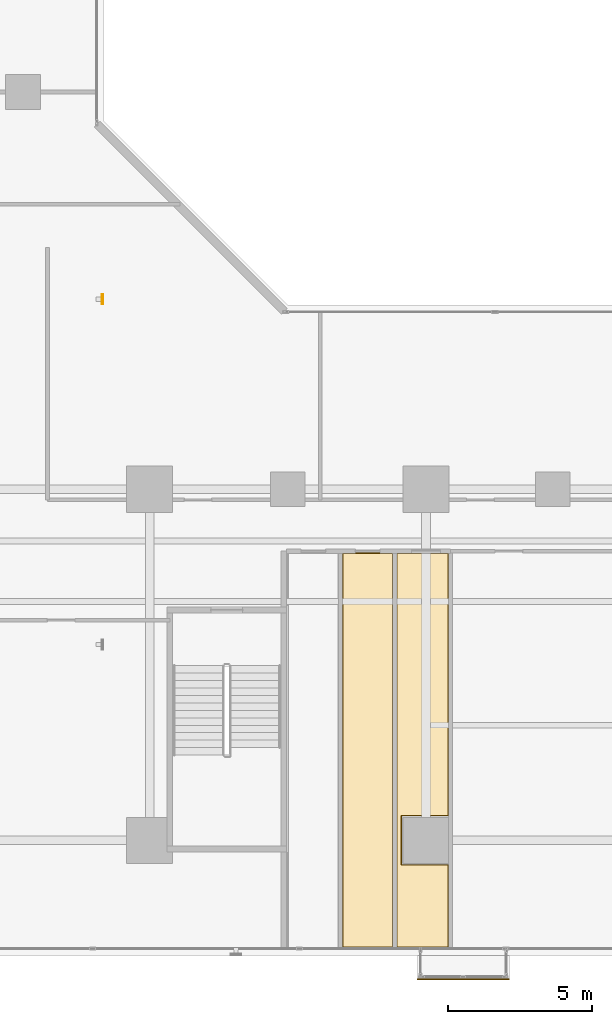
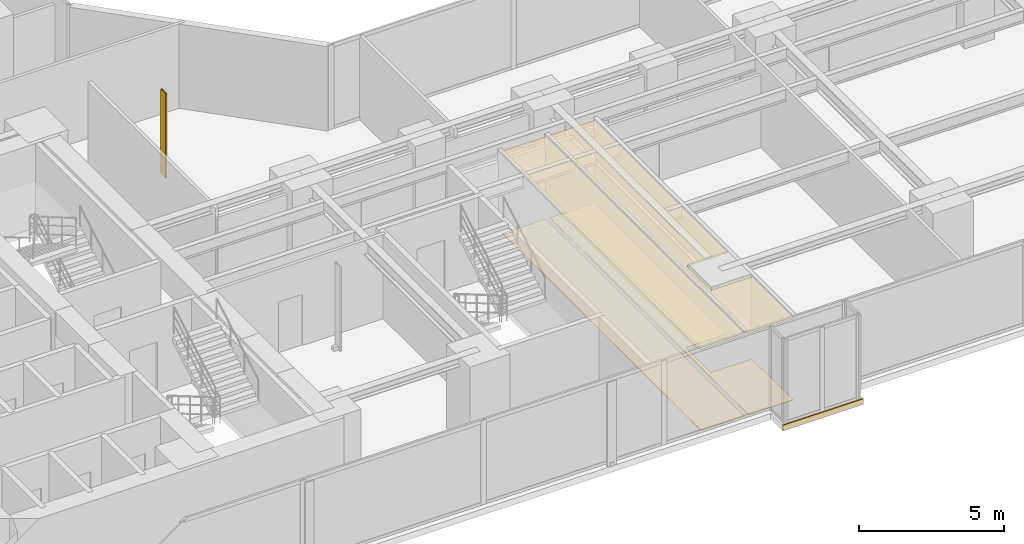
# One storey, part 27 of 28: 5 coverings, 1 shading device.
"""IFC4 building model written with IfcOpenShell, lengths in metres."""

import ifcopenshell
import ifcopenshell.guid

model = None  # the IFC model being written
_history = None  # IfcOwnerHistory: only IFC2X3 demands one
_inside = {}  # id of a spatial element -> (the spatial element, [elements in it])
_under = {}  # id of a project, library or spatial element -> (it, [spatial elements below it])
_declared = {}  # id of a project -> (the project, [libraries it declares])
_typed = {}  # id of a type object -> (the type object, [elements of that type])
_made_of = {}  # id of a material, layer set ... -> (it, [elements and type objects made of it])


def new_model(schema):
    """Start an empty IFC model of exactly this schema.

    Asked for "IFC4X3", IfcOpenShell would pick the latest addendum, in which some entities
    have other attributes; the version numbers below select the first issue.
    IFC2X3 requires an IfcOwnerHistory on every rooted entity: one is made here for all.
    """
    global model, _history
    if schema == "IFC4X3":
        model = ifcopenshell.file(schema_version=(4, 3, 0, 0))
    else:
        model = ifcopenshell.file(schema=schema)
    _inside.clear()
    _under.clear()
    _declared.clear()
    _typed.clear()
    _made_of.clear()
    _history = None
    if model.schema == "IFC2X3":
        org = make("IfcOrganization", Name="unknown")
        user = make(
            "IfcPersonAndOrganization",
            ThePerson=make("IfcPerson", FamilyName="unknown"),
            TheOrganization=org,
        )
        app = make(
            "IfcApplication",
            ApplicationDeveloper=org,
            Version="unknown",
            ApplicationFullName="unknown",
            ApplicationIdentifier="unknown",
        )
        _history = make(
            "IfcOwnerHistory",
            OwningUser=user,
            OwningApplication=app,
            ChangeAction="ADDED",
            CreationDate=0,
        )
    return model


def make(cls, **values):
    """One entity of the class cls with the attributes given. An attribute that is None is left unset."""
    return model.create_entity(
        cls, **{name: value for name, value in values.items() if value is not None}
    )


def rooted(cls, **values):
    """An entity with a GlobalId (a new one), such as an element, a storey or a relation."""
    return make(cls, GlobalId=ifcopenshell.guid.new(), OwnerHistory=_history, **values)


def si_unit(unit_type, name, prefix=None):
    """IfcSIUnit, for example si_unit("LENGTHUNIT", "METRE", prefix="MILLI")."""
    return make("IfcSIUnit", UnitType=unit_type, Prefix=prefix, Name=name)


def assignment(units):
    """IfcUnitAssignment: the units of a project."""
    return None if units is None else make("IfcUnitAssignment", Units=units)


def point(xyz):
    """IfcCartesianPoint."""
    return None if xyz is None else make("IfcCartesianPoint", Coordinates=xyz)


def direction(xyz):
    """IfcDirection."""
    return None if xyz is None else make("IfcDirection", DirectionRatios=xyz)


def frame(location, z_axis=None, x_axis=None):
    """IfcAxis2Placement3D, a coordinate frame: its origin and axes. An axis left out is left unset."""
    return make(
        "IfcAxis2Placement3D",
        Location=point(location),
        Axis=direction(z_axis),
        RefDirection=direction(x_axis),
    )


def frame_2d(location, x_axis=None):
    """IfcAxis2Placement2D, a coordinate frame in the plane: its origin and x axis."""
    return make(
        "IfcAxis2Placement2D", Location=point(location), RefDirection=direction(x_axis)
    )


def origin():
    """The frame at (0, 0, 0) with its axes left unset."""
    return frame((0.0, 0.0, 0.0))


def origin_2d():
    """The frame at (0, 0) in the plane with its x axis left unset."""
    return frame_2d((0.0, 0.0))


def place(relative_to, where):
    """IfcLocalPlacement: puts the frame where relative to a parent placement (None: the world)."""
    return make(
        "IfcLocalPlacement", PlacementRelTo=relative_to, RelativePlacement=where
    )


def context(
    kind, dimensions, precision=None, world=None, true_north=None, identifier=None
):
    """IfcGeometricRepresentationContext, for example the 3D "Model" context."""
    return make(
        "IfcGeometricRepresentationContext",
        ContextIdentifier=identifier,
        ContextType=kind,
        CoordinateSpaceDimension=dimensions,
        Precision=precision,
        WorldCoordinateSystem=world,
        TrueNorth=true_north,
    )


def subcontext(parent, identifier, kind, view, scale=None):
    """IfcGeometricRepresentationSubContext, for example "Body" below "Model"."""
    return make(
        "IfcGeometricRepresentationSubContext",
        ContextIdentifier=identifier,
        ContextType=kind,
        ParentContext=parent,
        TargetScale=scale,
        TargetView=view,
    )


def project(units=None, contexts=None):
    """IfcProject with its units and contexts."""
    return rooted(
        "IfcProject",
        Name="project",
        RepresentationContexts=contexts,
        UnitsInContext=assignment(units),
    )


def spatial(cls, under=None, at=None, **own):
    """A site, building, storey or space (cls), placed at a placement, below another one or the project."""
    s = rooted(cls, ObjectPlacement=at, **own)
    if under is not None:
        _under.setdefault(under.id(), (under, []))[1].append(s)
    return s


def polyline(points):
    """IfcPolyline through the points."""
    return make("IfcPolyline", Points=[point(p) for p in points])


def profile(cls, at=None, kind="AREA", **sizes):
    """A parametric profile (cls). Its sizes go by their IFC names, for example OverallWidth=200.0."""
    return make(cls, ProfileType=kind, Position=at, **sizes)


def rectangle(**sizes):
    """IfcRectangleProfileDef."""
    return profile("IfcRectangleProfileDef", **sizes)


def hollow_rectangle(**sizes):
    """IfcRectangleHollowProfileDef."""
    return profile("IfcRectangleHollowProfileDef", **sizes)


def outline(outer, holes=None, kind="AREA"):
    """IfcArbitraryClosedProfileDef: a profile drawn as a closed curve; with holes, ...WithVoids."""
    if holes is None:
        return make("IfcArbitraryClosedProfileDef", ProfileType=kind, OuterCurve=outer)
    return make(
        "IfcArbitraryProfileDefWithVoids",
        ProfileType=kind,
        OuterCurve=outer,
        InnerCurves=holes,
    )


def extrude(swept, where, along, depth):
    """IfcExtrudedAreaSolid: the profile swept, set in the frame where, extruded along a direction by depth."""
    return make(
        "IfcExtrudedAreaSolid",
        SweptArea=swept,
        Position=where,
        ExtrudedDirection=direction(along),
        Depth=depth,
    )


def shape(context_of_items, identifier, shape_type, items):
    """IfcShapeRepresentation: the items that make up one representation, for example the "Body"."""
    return make(
        "IfcShapeRepresentation",
        ContextOfItems=context_of_items,
        RepresentationIdentifier=identifier,
        RepresentationType=shape_type,
        Items=items,
    )


def material(Name=None, Category=None):
    """IfcMaterial."""
    return make("IfcMaterial", Name=Name, Category=Category)


def layer(
    of_material, thickness, ventilated=None, Name=None, Category=None, Priority=None
):
    """IfcMaterialLayer: one layer of a wall or slab, of a material (None: an air gap)."""
    return make(
        "IfcMaterialLayer",
        Material=of_material,
        LayerThickness=thickness,
        IsVentilated=ventilated,
        Name=Name,
        Category=Category,
        Priority=Priority,
    )


def layer_set(layers, Name=None):
    """IfcMaterialLayerSet."""
    return make("IfcMaterialLayerSet", MaterialLayers=layers, LayerSetName=Name)


def material_profile(
    of_material, cross_section, Name=None, Category=None, Priority=None
):
    """IfcMaterialProfile: a cross section and its material."""
    return make(
        "IfcMaterialProfile",
        Name=Name,
        Material=of_material,
        Profile=cross_section,
        Priority=Priority,
        Category=Category,
    )


def profile_set(profiles, Name=None, composite=None):
    """IfcMaterialProfileSet."""
    return make(
        "IfcMaterialProfileSet",
        Name=Name,
        MaterialProfiles=profiles,
        CompositeProfile=composite,
    )


def made_of(thing, what):
    """Note that an element or type object is made of a material, layer set ...; save() writes the relation."""
    if what is not None:
        _made_of.setdefault(what.id(), (what, []))[1].append(thing)
    return thing


def type_object(cls, material=None, **own):
    """A type object (cls), such as IfcWallType, which elements share."""
    return made_of(rooted(cls, **own), material)


def element(
    cls,
    number,
    at=None,
    inside=None,
    cuts=None,
    type_object=None,
    material=None,
    context=None,
    identifier="Body",
    shape_type=None,
    held_by="IfcProductDefinitionShape",
    body=None,
    shapes=None,
    **own,
):
    """One element of the class cls, such as IfcWall. Its Tag is "e" and its number.

    at: its placement. inside: the storey or other place that contains it. cuts: it is an
    opening in that element (IfcRelVoidsElement). A single representation is given by context,
    identifier, shape_type and body (its items); several are given by shapes. held_by: the class
    of the entity that holds the representations. save() writes the other relations.
    """
    e = rooted(cls, Tag="e%d" % number, ObjectPlacement=at, **own)
    if body is not None:
        shapes = [shape(context, identifier, shape_type, body)]
    if shapes is not None:
        e.Representation = make(held_by, Representations=shapes)
    if inside is not None:
        _inside.setdefault(inside.id(), (inside, []))[1].append(e)
    if cuts is not None:
        rooted(
            "IfcRelVoidsElement", RelatingBuildingElement=cuts, RelatedOpeningElement=e
        )
    if type_object is not None:
        _typed.setdefault(type_object.id(), (type_object, []))[1].append(e)
    return made_of(e, material)


def aggregate(whole, parts):
    """IfcRelAggregates: a whole, such as a stair, and the parts it consists of."""
    return rooted("IfcRelAggregates", RelatingObject=whole, RelatedObjects=parts)


def save(model, path):
    """Write the relations noted so far, then the file.

    IfcRelAggregates (storeys below a building ...), IfcRelContainedInSpatialStructure (elements
    in a storey), IfcRelDefinesByType, IfcRelAssociatesMaterial and IfcRelDeclares: one each for
    every whole, place, type object, material and project.
    """
    for whole, parts in _under.values():
        aggregate(whole, parts)
    for where, things in _inside.values():
        rooted(
            "IfcRelContainedInSpatialStructure",
            RelatedElements=things,
            RelatingStructure=where,
        )
    for kind, things in _typed.values():
        rooted("IfcRelDefinesByType", RelatedObjects=things, RelatingType=kind)
    for what, things in _made_of.values():
        rooted("IfcRelAssociatesMaterial", RelatedObjects=things, RelatingMaterial=what)
    for by, libraries in _declared.values():
        rooted("IfcRelDeclares", RelatingContext=by, RelatedDefinitions=libraries)
    model.write(path)


model = new_model("IFC4")

# Units and contexts
model_context = context("Model", 3, precision=1e-05, world=origin(), true_north=direction((0.0, 1.0)))
body_context = subcontext(model_context, "Body", "Model", "MODEL_VIEW")
ifc_project = project(units=[si_unit("LENGTHUNIT", "METRE"), si_unit("AREAUNIT", "SQUARE_METRE"), si_unit("VOLUMEUNIT", "CUBIC_METRE"), si_unit("PLANEANGLEUNIT", "RADIAN"), si_unit("MASSUNIT", "GRAM", prefix="KILO")], contexts=[model_context])

# Site, building, storey
site_placement = place(None, origin())
site = spatial("IfcSite", under=ifc_project, at=site_placement, CompositionType="ELEMENT")
building_placement = place(site_placement, origin())
building = spatial("IfcBuilding", under=site, at=building_placement, Name="Kolvaren Waterfront Exchange", CompositionType="ELEMENT")
storey_placement = place(building_placement, frame((0.0, 0.0, 41.0)))
storey = spatial("IfcBuildingStorey", under=building, at=storey_placement, Name="L10", CompositionType="ELEMENT", Elevation=41.0)

# Coverings
ifc_material_1 = material(Name="Mineral fibre acoustic ceiling tile")
ifc_layer_1 = layer(ifc_material_1, 0.02490234375, Name="Mineral fibre acoustic ceiling tile")
ifc_layer_set_1 = layer_set([ifc_layer_1], Name="Mineral fibre acoustic ceiling tile")
covering_type_1 = type_object("IfcCoveringType", Name="ARC-CEIL-ACOUSTIC-25", PredefinedType="CEILING", material=ifc_layer_set_1)
covering_1_placement = place(storey_placement, frame((0.0, 0.0, 3.425048828125)))
element("IfcCovering", 1, at=covering_1_placement, inside=storey, type_object=covering_type_1, Name="L10 acoustic suspended ceiling 2", PredefinedType="CEILING", context=body_context, shape_type="SweptSolid", body=[
    extrude(outline(polyline([(35.6650390625, 1.465087890625), (35.6650390625, 15.195068359375), (33.875, 15.195068359375), (33.875, 1.465087890625), (35.6650390625, 1.465087890625)])), origin(), (0.0, 0.0, 1.0), 0.02490234375),
])
covering_2_placement = place(storey_placement, frame((0.0, 0.0, 3.425048828125)))
element("IfcCovering", 2, at=covering_2_placement, inside=storey, type_object=covering_type_1, Name="L10 acoustic suspended ceiling 3", PredefinedType="CEILING", context=body_context, shape_type="SweptSolid", body=[
    extrude(outline(polyline([(37.60498046875, 4.360107421875), (35.9599609375, 4.360107421875), (35.9599609375, 6.0400390625), (37.60498046875, 6.0400390625), (37.60498046875, 15.195068359375), (35.7548828125, 15.195068359375), (35.7548828125, 1.465087890625), (37.60498046875, 1.465087890625), (37.60498046875, 4.360107421875)])), origin(), (0.0, 0.0, 1.0), 0.02490234375),
])
ifc_material_2 = material(Name="Anodised bronze fascia aluminium", Category="aluminium")
ifc_layer_2 = layer(ifc_material_2, 0.034912109375, Name="Anodised bronze fascia aluminium")
ifc_layer_set_2 = layer_set([ifc_layer_2], Name="Anodised bronze fascia aluminium")
covering_type_2 = type_object("IfcCoveringType", Name="ARC-CLAD-BRONZE-35", PredefinedType="CLADDING", material=ifc_layer_set_2)
covering_3_placement = place(storey_placement, frame((38.10009765625, 0.3701171875, -0.22021484375), z_axis=(0.0, 0.0, 1.0), x_axis=(1.0, 0.0, 0.0)))
element("IfcCovering", 3, at=covering_3_placement, inside=storey, type_object=covering_type_2, Name="L10 ribbed anodised bronze bay-box fascia", PredefinedType="CLADDING", context=body_context, shape_type="SweptSolid", body=[
    extrude(rectangle(XDim=3.199951171875, YDim=0.034912109375, at=origin_2d()), origin(), (0.0, 0.0, 1.0), 0.239990234375),
])

# Shading device
ifc_material_3 = material(Name="Anodised bronze aluminium 6063-T6", Category="aluminium")
ifc_material_profile = material_profile(ifc_material_3, hollow_rectangle(XDim=0.06005859375, YDim=0.35009765625, WallThickness=0.0048828125, at=origin_2d()), Name="BRZ-FIN-350x60x5")
ifc_profile_set = profile_set([ifc_material_profile], Name="Anodised bronze aluminium 6063-T6")
shading_device_type = type_object("IfcShadingDeviceType", Name="ARC-FIN-350", PredefinedType="USERDEFINED", material=ifc_profile_set)
shading_device_placement = place(storey_placement, frame((25.56005859375, 24.0, 0.0), z_axis=(0.0, 0.0, 1.0), x_axis=(1.0, 0.0, 0.0)))
element("IfcShadingDevice", 4, at=shading_device_placement, inside=storey, type_object=shading_device_type, Name="L10 anodised bronze solar shading fin FIN-L10-E2", ObjectType="SOLAR FIN", PredefinedType="USERDEFINED", context=body_context, shape_type="SweptSolid", body=[
    extrude(hollow_rectangle(XDim=0.06005859375, YDim=0.35009765625, WallThickness=0.0048828125, at=origin_2d()), origin(), (0.0, 0.0, 1.0), 3.5400390625),
])

# Coverings
ifc_material_4 = material(Name="Slip-resistant porcelain tile")
ifc_layer_3 = layer(ifc_material_4, 0.014892578125, Name="Slip-resistant porcelain tile")
ifc_layer_set_3 = layer_set([ifc_layer_3], Name="Slip-resistant porcelain tile")
covering_type_3 = type_object("IfcCoveringType", Name="ARC-FLR-PORC-15", PredefinedType="FLOORING", material=ifc_layer_set_3)
covering_4_placement = place(storey_placement, origin())
element("IfcCovering", 5, at=covering_4_placement, inside=storey, type_object=covering_type_3, Name="L10 floor finish 2", PredefinedType="FLOORING", context=body_context, shape_type="SweptSolid", body=[
    extrude(outline(polyline([(33.909912109375, 15.159912109375), (33.909912109375, 1.5), (35.6298828125, 1.5), (35.6298828125, 15.159912109375), (33.909912109375, 15.159912109375)])), origin(), (0.0, 0.0, 1.0), 0.014892578125),
])
covering_5_placement = place(storey_placement, origin())
element("IfcCovering", 6, at=covering_5_placement, inside=storey, type_object=covering_type_3, Name="L10 floor finish 3", PredefinedType="FLOORING", context=body_context, shape_type="SweptSolid", body=[
    extrude(outline(polyline([(35.7900390625, 15.159912109375), (35.7900390625, 1.5), (37.570068359375, 1.5), (37.570068359375, 4.340087890625), (35.93994140625, 4.340087890625), (35.93994140625, 6.06005859375), (37.570068359375, 6.06005859375), (37.570068359375, 15.159912109375), (35.7900390625, 15.159912109375)])), origin(), (0.0, 0.0, 1.0), 0.014892578125),
])

save(model, "model.ifc")
